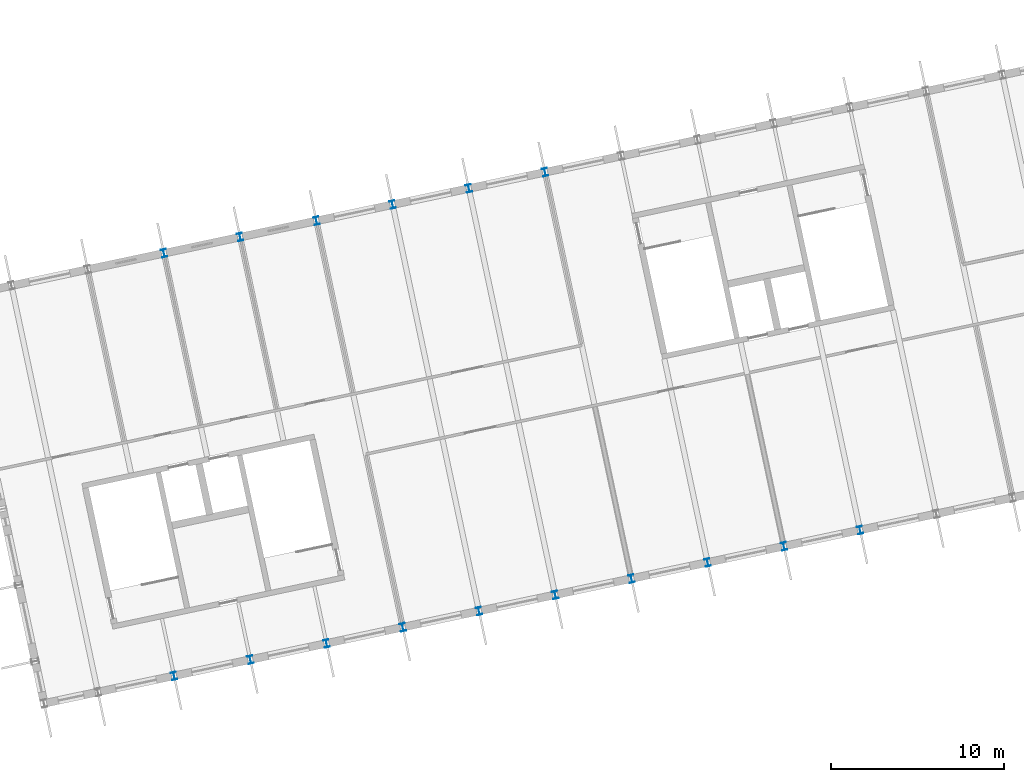
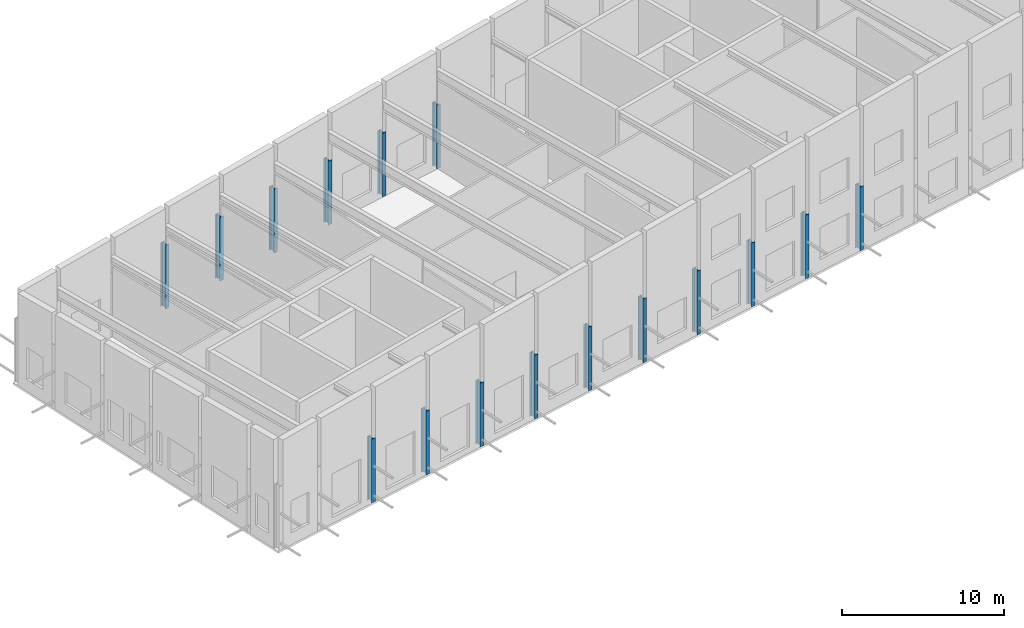
# One storey, part 4 of 69: 16 columns.
"""IFC4 building model written with IfcOpenShell, lengths in metres."""

from ifc_helpers import new_model, si_unit, direction, frame, origin, origin_2d, place, context, subcontext, project, spatial, i_section, extrude, material, material_profile, profile_set, type_object, element, save


model = new_model("IFC4")

# Units and contexts
model_context = context("Model", 3, precision=1e-05, world=origin(), true_north=direction((0.0, 1.0)))
body_context = subcontext(model_context, "Body", "Model", "MODEL_VIEW")
ifc_project = project(units=[si_unit("LENGTHUNIT", "METRE"), si_unit("AREAUNIT", "SQUARE_METRE"), si_unit("VOLUMEUNIT", "CUBIC_METRE"), si_unit("PLANEANGLEUNIT", "RADIAN"), si_unit("MASSUNIT", "GRAM", prefix="KILO")], contexts=[model_context])

# Site, building, storey
site_placement = place(None, origin())
site = spatial("IfcSite", under=ifc_project, at=site_placement, CompositionType="ELEMENT")
building_placement = place(site_placement, origin())
building = spatial("IfcBuilding", under=site, at=building_placement, Name="Okhra Congress Centre", CompositionType="ELEMENT")
storey_placement = place(building_placement, frame((0.0, 0.0, 16.800048828125)))
storey = spatial("IfcBuildingStorey", under=building, at=storey_placement, Name="L03", CompositionType="ELEMENT", Elevation=16.800048828125)

# Columns
ifc_material = material(Name="Steel S355J2", Category="steel")
ifc_material_profile = material_profile(ifc_material, i_section(OverallWidth=0.300048828125, OverallDepth=0.449951171875, WebThickness=0.013916015625, FlangeThickness=0.02587890625, FilletRadius=0.027099609375, at=origin_2d()), Name="HE 450 B")
ifc_profile_set = profile_set([ifc_material_profile], Name="Steel S355J2")
column_type = type_object("IfcColumnType", Name="Steel post HE 450 B", PredefinedType="COLUMN", material=ifc_profile_set)
for number, where, z_axis, x_axis, name in (
    (1, (69.814208984375, 28.680419921875, 0.0), (0.0, 0.0, 1.0), (0.978147600734, 0.207911690818, 0.0), "Post S3"),
    (2, (74.216064453125, 29.615966796875, 0.0), (0.0, 0.0, 1.0), (0.978147600734, 0.207911690818, 0.0), "Post S4"),
    (3, (78.61767578125, 30.5517578125, 0.0), (0.0, 0.0, 1.0), (0.978147600734, 0.207911690818, 0.0), "Post S5"),
    (4, (83.019287109375, 31.4873046875, 0.0), (0.0, 0.0, 1.0), (0.978147600734, 0.207911690818, 0.0), "Post S6"),
    (5, (87.4208984375, 32.4228515625, 0.0), (0.0, 0.0, 1.0), (0.978147600734, 0.207911690818, 0.0), "Post S7"),
    (6, (91.82275390625, 33.3583984375, 0.0), (0.0, 0.0, 1.0), (0.978147600734, 0.207911690818, 0.0), "Post S8"),
    (7, (96.224365234375, 34.2939453125, 0.0), (0.0, 0.0, 1.0), (0.978147600734, 0.207911690818, 0.0), "Post S9"),
    (8, (100.6259765625, 35.229736328125, 0.0), (0.0, 0.0, 1.0), (0.978147600734, 0.207911690818, 0.0), "Post S10"),
    (9, (105.027587890625, 36.165283203125, 0.0), (0.0, 0.0, 1.0), (0.978147600734, 0.207911690818, 0.0), "Post S11"),
    (10, (109.42919921875, 37.100830078125, 0.0), (0.0, 0.0, 1.0), (0.978147600734, 0.207911690818, 0.0), "Post S12"),
    (11, (69.22607421875, 53.091552734375, 0.0), (0.0, 0.0, 1.0), (0.978147600734, 0.207911690818, 0.0), "Post N4"),
    (12, (73.627685546875, 54.027099609375, 0.0), (0.0, 0.0, 1.0), (0.978147600734, 0.207911690818, 0.0), "Post N5"),
    (13, (78.029541015625, 54.962890625, 0.0), (0.0, 0.0, 1.0), (0.978147600734, 0.207911690818, 0.0), "Post N6"),
    (14, (82.43115234375, 55.8984375, 0.0), (0.0, 0.0, 1.0), (0.978147600734, 0.207911690818, 0.0), "Post N7"),
    (15, (86.832763671875, 56.833984375, 0.0), (0.0, 0.0, 1.0), (0.978147600734, 0.207911690818, 0.0), "Post N8"),
    (16, (91.234375, 57.76953125, 0.0), (0.0, 0.0, 1.0), (0.978147600734, 0.207911690818, 0.0), "Post N9"),
):
    element("IfcColumn", number, at=place(storey_placement, frame(where, z_axis=z_axis, x_axis=x_axis)), inside=storey, type_object=column_type, Name=name, PredefinedType="COLUMN", context=body_context, shape_type="SweptSolid", body=[
        extrude(i_section(OverallWidth=0.300048828125, OverallDepth=0.449951171875, WebThickness=0.013916015625, FlangeThickness=0.02587890625, FilletRadius=0.027099609375, at=origin_2d()), origin(), (0.0, 0.0, 1.0), 4.800048828125),
    ])

save(model, "model.ifc")
